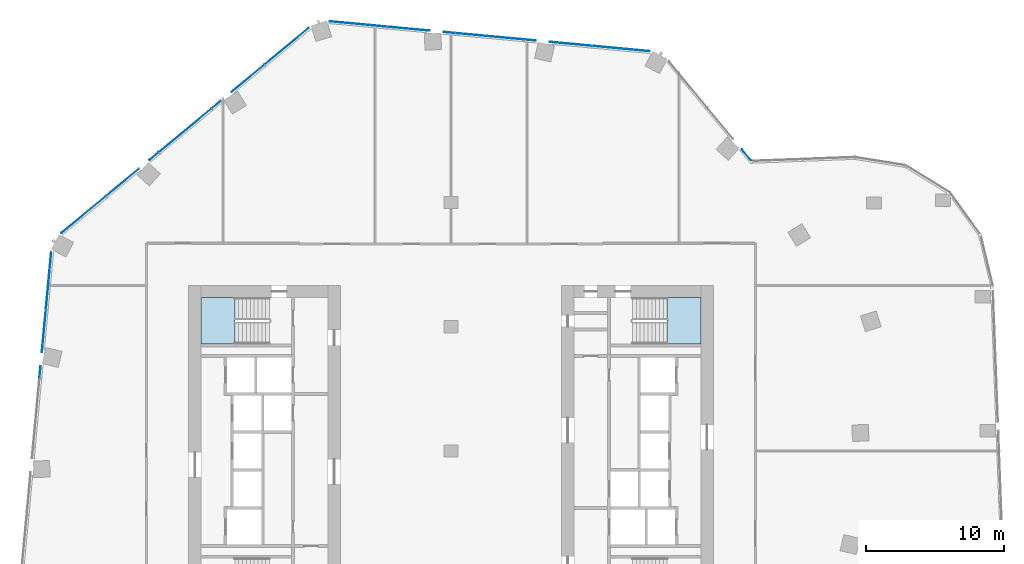
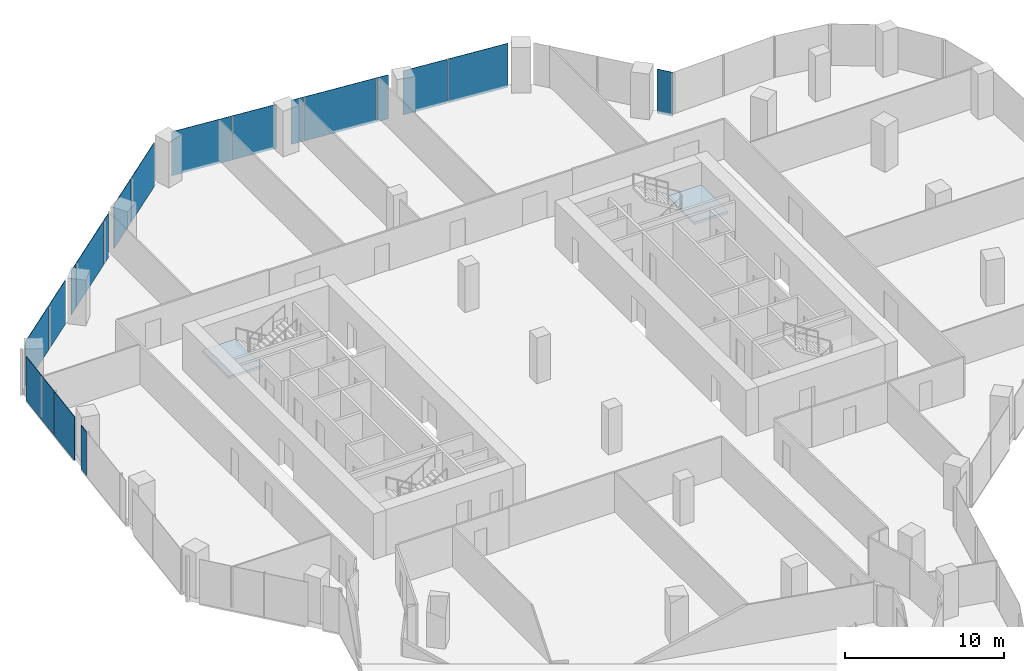
# One storey, part 16 of 24: 18 plates, 2 slabs, 6 elements without a shape of their own.
"""IFC4 building model written with IfcOpenShell, lengths in metres."""

from ifc_helpers import new_model, si_unit, direction, frame, origin, origin_2d, place, context, subcontext, project, spatial, polyline, rectangle, outline, extrude, material, layer, layer_set, type_object, element, aggregate, save


model = new_model("IFC4")

# Units and contexts
model_context = context("Model", 3, precision=1e-05, world=origin(), true_north=direction((0.0, 1.0)))
body_context = subcontext(model_context, "Body", "Model", "MODEL_VIEW")
ifc_project = project(units=[si_unit("LENGTHUNIT", "METRE"), si_unit("AREAUNIT", "SQUARE_METRE"), si_unit("VOLUMEUNIT", "CUBIC_METRE"), si_unit("PLANEANGLEUNIT", "RADIAN"), si_unit("MASSUNIT", "GRAM", prefix="KILO")], contexts=[model_context])

# Site, building, storey
site_placement = place(None, origin())
site = spatial("IfcSite", under=ifc_project, at=site_placement, CompositionType="ELEMENT")
building_placement = place(site_placement, origin())
building = spatial("IfcBuilding", under=site, at=building_placement, Name="Orlundy Tower", CompositionType="ELEMENT")
storey_placement = place(building_placement, frame((0.0, 0.0, 174.10009765625)))
storey = spatial("IfcBuildingStorey", under=building, at=storey_placement, Name="L45", CompositionType="ELEMENT", Elevation=174.10009765625)

# Curtain wall, plates
ifc_material_1 = material(Name="Aluminium bronze anodised", Category="aluminium")
curtain_wall_type = type_object("IfcCurtainWallType", Name="CW1 wall", PredefinedType="NOTDEFINED", material=ifc_material_1)
curtain_wall_1_placement = place(storey_placement, origin())
curtain_wall_1 = element("IfcCurtainWall", 1, at=curtain_wall_1_placement, inside=storey, type_object=curtain_wall_type, Name="CW1 run 02", PredefinedType="NOTDEFINED")
ifc_material_2 = material(Name="Tinted glass", Category="glass")
ifc_layer_1 = layer(ifc_material_2, 0.031982421875)
ifc_layer_set_1 = layer_set([ifc_layer_1], Name="CW1 glass panel 32")
plate_type = type_object("IfcPlateType", Name="CW1 glass panel 32", PredefinedType="CURTAIN_PANEL", material=ifc_layer_set_1)
plate_1_placement = place(storey_placement, frame((-29.7607421875, 5.724609375, -0.300048828125), z_axis=(0.0, 0.0, 1.0), x_axis=(0.092948066811, 0.995670958136, 0.0)))
plate_1 = element("IfcPlate", 2, at=plate_1_placement, type_object=plate_type, Name="CW1 panel", PredefinedType="CURTAIN_PANEL", context=body_context, shape_type="SweptSolid", body=[
    extrude(rectangle(XDim=0.846435546875, YDim=0.031982421875, at=origin_2d()), origin(), (0.0, 0.0, 1.0), 3.3798828125),
])
plate_2_placement = place(storey_placement, frame((-29.48486328125, 8.6796875, -0.300048828125), z_axis=(0.0, 0.0, 1.0), x_axis=(0.092948066811, 0.995670958136, 0.0)))
plate_2 = element("IfcPlate", 3, at=plate_2_placement, type_object=plate_type, Name="CW1 panel", PredefinedType="CURTAIN_PANEL", context=body_context, shape_type="SweptSolid", body=[
    extrude(rectangle(XDim=3.05859375, YDim=0.031982421875, at=origin_2d()), origin(), (0.0, 0.0, 1.0), 3.3798828125),
])
plate_3_placement = place(storey_placement, frame((-29.145263671875, 12.31689453125, -0.300048828125), z_axis=(0.0, 0.0, 1.0), x_axis=(0.092948066811, 0.995670958136, 0.0)))
plate_3 = element("IfcPlate", 4, at=plate_3_placement, type_object=plate_type, Name="CW1 panel", PredefinedType="CURTAIN_PANEL", context=body_context, shape_type="SweptSolid", body=[
    extrude(rectangle(XDim=4.147705078125, YDim=0.031982421875, at=origin_2d()), origin(), (0.0, 0.0, 1.0), 3.3798828125),
])
aggregate(curtain_wall_1, [plate_1, plate_2, plate_3])

curtain_wall_2_placement = place(storey_placement, origin())
curtain_wall_2 = element("IfcCurtainWall", 5, at=curtain_wall_2_placement, inside=storey, type_object=curtain_wall_type, Name="CW1 run 03", PredefinedType="NOTDEFINED")
plate_4_placement = place(storey_placement, frame((-26.609130859375, 17.120361328125, -0.300048828125), z_axis=(0.0, 0.0, 1.0), x_axis=(0.769772426769, 0.638318424445, 0.0)))
plate_4 = element("IfcPlate", 6, at=plate_4_placement, type_object=plate_type, Name="CW1 panel", PredefinedType="CURTAIN_PANEL", context=body_context, shape_type="SweptSolid", body=[
    extrude(rectangle(XDim=4.1474609375, YDim=0.031982421875, at=origin_2d()), origin(), (0.0, 0.0, 1.0), 3.3798828125),
])
plate_5_placement = place(storey_placement, frame((-23.797607421875, 19.45166015625, -0.300048828125), z_axis=(0.0, 0.0, 1.0), x_axis=(0.769772426769, 0.638318424445, 0.0)))
plate_5 = element("IfcPlate", 7, at=plate_5_placement, type_object=plate_type, Name="CW1 panel", PredefinedType="CURTAIN_PANEL", context=body_context, shape_type="SweptSolid", body=[
    extrude(rectangle(XDim=3.05712890625, YDim=0.031982421875, at=origin_2d()), origin(), (0.0, 0.0, 1.0), 3.3798828125),
])
plate_6_placement = place(storey_placement, frame((-21.512451171875, 21.3466796875, -0.300048828125), z_axis=(0.0, 0.0, 1.0), x_axis=(0.769772426769, 0.638318424445, 0.0)))
plate_6 = element("IfcPlate", 8, at=plate_6_placement, type_object=plate_type, Name="CW1 panel", PredefinedType="CURTAIN_PANEL", context=body_context, shape_type="SweptSolid", body=[
    extrude(rectangle(XDim=0.8466796875, YDim=0.031982421875, at=origin_2d()), origin(), (0.0, 0.0, 1.0), 3.3798828125),
])
plate_7_placement = place(storey_placement, frame((-19.254150390625, 23.21923828125, -0.300048828125), z_axis=(0.0, 0.0, 1.0), x_axis=(0.769772426769, 0.638318424445, 0.0)))
plate_7 = element("IfcPlate", 9, at=plate_7_placement, type_object=plate_type, Name="CW1 panel", PredefinedType="CURTAIN_PANEL", context=body_context, shape_type="SweptSolid", body=[
    extrude(rectangle(XDim=4.920654296875, YDim=0.031982421875, at=origin_2d()), origin(), (0.0, 0.0, 1.0), 3.3798828125),
])
plate_8_placement = place(storey_placement, frame((-16.99609375, 25.091796875, -0.300048828125), z_axis=(0.0, 0.0, 1.0), x_axis=(0.769772426769, 0.638318424445, 0.0)))
plate_8 = element("IfcPlate", 10, at=plate_8_placement, type_object=plate_type, Name="CW1 panel", PredefinedType="CURTAIN_PANEL", context=body_context, shape_type="SweptSolid", body=[
    extrude(rectangle(XDim=0.8466796875, YDim=0.031982421875, at=origin_2d()), origin(), (0.0, 0.0, 1.0), 3.3798828125),
])
plate_9_placement = place(storey_placement, frame((-14.71044921875, 26.987060546875, -0.300048828125), z_axis=(0.0, 0.0, 1.0), x_axis=(0.769772426769, 0.638318424445, 0.0)))
plate_9 = element("IfcPlate", 11, at=plate_9_placement, type_object=plate_type, Name="CW1 panel", PredefinedType="CURTAIN_PANEL", context=body_context, shape_type="SweptSolid", body=[
    extrude(rectangle(XDim=3.056640625, YDim=0.031982421875, at=origin_2d()), origin(), (0.0, 0.0, 1.0), 3.3798828125),
])
plate_10_placement = place(storey_placement, frame((-11.899169921875, 29.318359375, -0.300048828125), z_axis=(0.0, 0.0, 1.0), x_axis=(0.769772426769, 0.638318424445, 0.0)))
plate_10 = element("IfcPlate", 12, at=plate_10_placement, type_object=plate_type, Name="CW1 panel", PredefinedType="CURTAIN_PANEL", context=body_context, shape_type="SweptSolid", body=[
    extrude(rectangle(XDim=4.148193359375, YDim=0.031982421875, at=origin_2d()), origin(), (0.0, 0.0, 1.0), 3.3798828125),
])
aggregate(curtain_wall_2, [plate_4, plate_5, plate_6, plate_7, plate_8, plate_9, plate_10])

curtain_wall_3_placement = place(storey_placement, origin())
curtain_wall_3 = element("IfcCurtainWall", 13, at=curtain_wall_3_placement, inside=storey, type_object=curtain_wall_type, Name="CW1 run 04", PredefinedType="NOTDEFINED")
plate_11_placement = place(storey_placement, frame((-6.709228515625, 30.92138671875, -0.300048828125), z_axis=(0.0, 0.0, 1.0), x_axis=(0.995670958136, -0.092948066811, 0.0)))
plate_11 = element("IfcPlate", 14, at=plate_11_placement, type_object=plate_type, Name="CW1 panel", PredefinedType="CURTAIN_PANEL", context=body_context, shape_type="SweptSolid", body=[
    extrude(rectangle(XDim=4.14697265625, YDim=0.031982421875, at=origin_2d()), origin(), (0.0, 0.0, 1.0), 3.3798828125),
])
plate_12_placement = place(storey_placement, frame((-3.073974609375, 30.58203125, -0.300048828125), z_axis=(0.0, 0.0, 1.0), x_axis=(0.995670958136, -0.092948066811, 0.0)))
plate_12 = element("IfcPlate", 15, at=plate_12_placement, type_object=plate_type, Name="CW1 panel", PredefinedType="CURTAIN_PANEL", context=body_context, shape_type="SweptSolid", body=[
    extrude(rectangle(XDim=3.05517578125, YDim=0.031982421875, at=origin_2d()), origin(), (0.0, 0.0, 1.0), 3.3798828125),
])
plate_13_placement = place(storey_placement, frame((-0.1171875, 30.305908203125, -0.300048828125), z_axis=(0.0, 0.0, 1.0), x_axis=(0.995670958136, -0.092948066811, 0.0)))
plate_13 = element("IfcPlate", 16, at=plate_13_placement, type_object=plate_type, Name="CW1 panel", PredefinedType="CURTAIN_PANEL", context=body_context, shape_type="SweptSolid", body=[
    extrude(rectangle(XDim=0.846923828125, YDim=0.031982421875, at=origin_2d()), origin(), (0.0, 0.0, 1.0), 3.3798828125),
])
plate_14_placement = place(storey_placement, frame((2.8037109375, 30.033203125, -0.300048828125), z_axis=(0.0, 0.0, 1.0), x_axis=(0.995670958136, -0.092948066811, 0.0)))
plate_14 = element("IfcPlate", 17, at=plate_14_placement, type_object=plate_type, Name="CW1 panel", PredefinedType="CURTAIN_PANEL", context=body_context, shape_type="SweptSolid", body=[
    extrude(rectangle(XDim=4.92041015625, YDim=0.031982421875, at=origin_2d()), origin(), (0.0, 0.0, 1.0), 3.3798828125),
])
plate_15_placement = place(storey_placement, frame((5.724609375, 29.7607421875, -0.300048828125), z_axis=(0.0, 0.0, 1.0), x_axis=(0.995670958136, -0.092948066811, 0.0)))
plate_15 = element("IfcPlate", 18, at=plate_15_placement, type_object=plate_type, Name="CW1 panel", PredefinedType="CURTAIN_PANEL", context=body_context, shape_type="SweptSolid", body=[
    extrude(rectangle(XDim=0.846435546875, YDim=0.031982421875, at=origin_2d()), origin(), (0.0, 0.0, 1.0), 3.3798828125),
])
plate_16_placement = place(storey_placement, frame((8.6796875, 29.48486328125, -0.300048828125), z_axis=(0.0, 0.0, 1.0), x_axis=(0.995670958136, -0.092948066811, 0.0)))
plate_16 = element("IfcPlate", 19, at=plate_16_placement, type_object=plate_type, Name="CW1 panel", PredefinedType="CURTAIN_PANEL", context=body_context, shape_type="SweptSolid", body=[
    extrude(rectangle(XDim=3.05859375, YDim=0.031982421875, at=origin_2d()), origin(), (0.0, 0.0, 1.0), 3.3798828125),
])
plate_17_placement = place(storey_placement, frame((12.31689453125, 29.145263671875, -0.300048828125), z_axis=(0.0, 0.0, 1.0), x_axis=(0.995670958136, -0.092948066811, 0.0)))
plate_17 = element("IfcPlate", 20, at=plate_17_placement, type_object=plate_type, Name="CW1 panel", PredefinedType="CURTAIN_PANEL", context=body_context, shape_type="SweptSolid", body=[
    extrude(rectangle(XDim=4.147705078125, YDim=0.031982421875, at=origin_2d()), origin(), (0.0, 0.0, 1.0), 3.3798828125),
])
aggregate(curtain_wall_3, [plate_11, plate_12, plate_13, plate_14, plate_15, plate_16, plate_17])

# Curtain wall, plate
curtain_wall_4_placement = place(storey_placement, origin())
curtain_wall_4 = element("IfcCurtainWall", 21, at=curtain_wall_4_placement, inside=storey, type_object=curtain_wall_type, Name="CW1 run 05", PredefinedType="NOTDEFINED")
plate_18_placement = place(storey_placement, frame((21.4228515625, 21.420166015625, -0.300048828125), z_axis=(0.0, 0.0, 1.0), x_axis=(0.638299162368, -0.769788399055, 0.0)))
plate_18 = element("IfcPlate", 22, at=plate_18_placement, type_object=plate_type, Name="CW1 panel", PredefinedType="CURTAIN_PANEL", context=body_context, shape_type="SweptSolid", body=[
    extrude(rectangle(XDim=1.08642578125, YDim=0.031982421875, at=origin_2d()), origin(), (0.0, 0.0, 1.0), 3.3798828125),
])
aggregate(curtain_wall_4, [plate_18])

# Stair, slab
ifc_material_3 = material(Name="Concrete C50/60", Category="concrete")
stair_type = type_object("IfcStairType", Name="Exit Stair 20 risers", PredefinedType="HALF_TURN_STAIR", material=ifc_material_3)
stair_1_placement = place(storey_placement, origin())
stair_1 = element("IfcStair", 23, at=stair_1_placement, inside=storey, type_object=stair_type, Name="L45 Exit Stair ST-W1", PredefinedType="HALF_TURN_STAIR")
ifc_material_4 = material(Name="Concrete C50/60", Category="concrete")
ifc_layer_2 = layer(ifc_material_4, 0.199951171875)
ifc_layer_set_2 = layer_set([ifc_layer_2], Name="Exit Stair Landing")
slab_type = type_object("IfcSlabType", Name="Exit Stair Landing", PredefinedType="LANDING", material=ifc_layer_set_2)
slab_1_placement = place(storey_placement, frame((0.0, 0.0, 1.5498046875)))
slab_1 = element("IfcSlab", 24, at=slab_1_placement, type_object=slab_type, Name="ST-W1 landing 1", PredefinedType="LANDING", context=body_context, shape_type="SweptSolid", body=[
    extrude(outline(polyline([(-15.659912109375, 11.10009765625), (-18.10009765625, 11.10009765625), (-18.10009765625, 7.75), (-15.659912109375, 7.75), (-15.659912109375, 11.10009765625)])), origin(), (0.0, 0.0, 1.0), 0.2001953125),
])
aggregate(stair_1, [slab_1])

stair_2_placement = place(storey_placement, origin())
stair_2 = element("IfcStair", 25, at=stair_2_placement, inside=storey, type_object=stair_type, Name="L45 Exit Stair ST-E2", PredefinedType="HALF_TURN_STAIR")
slab_2_placement = place(storey_placement, frame((0.0, 0.0, 1.5498046875)))
slab_2 = element("IfcSlab", 26, at=slab_2_placement, type_object=slab_type, Name="ST-E2 landing 1", PredefinedType="LANDING", context=body_context, shape_type="SweptSolid", body=[
    extrude(outline(polyline([(15.659912109375, 7.75), (18.10009765625, 7.75), (18.10009765625, 11.10009765625), (15.659912109375, 11.10009765625), (15.659912109375, 7.75)])), origin(), (0.0, 0.0, 1.0), 0.2001953125),
])
aggregate(stair_2, [slab_2])

save(model, "model.ifc")
